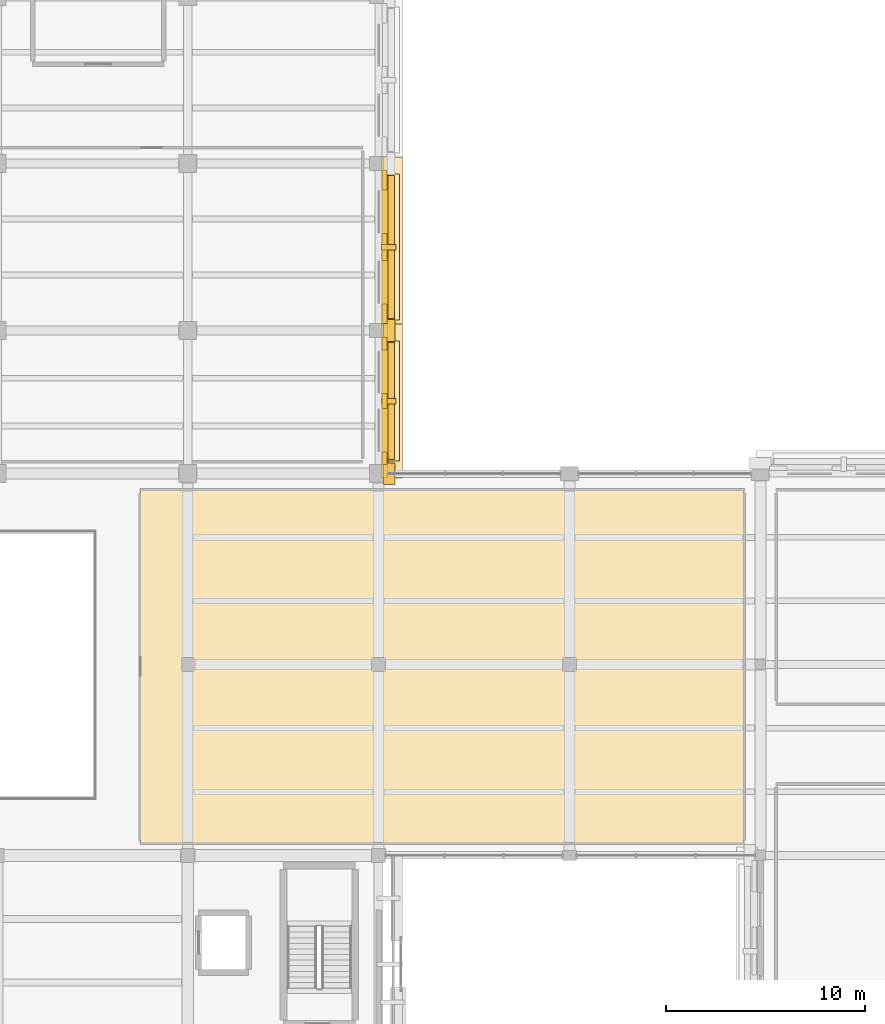
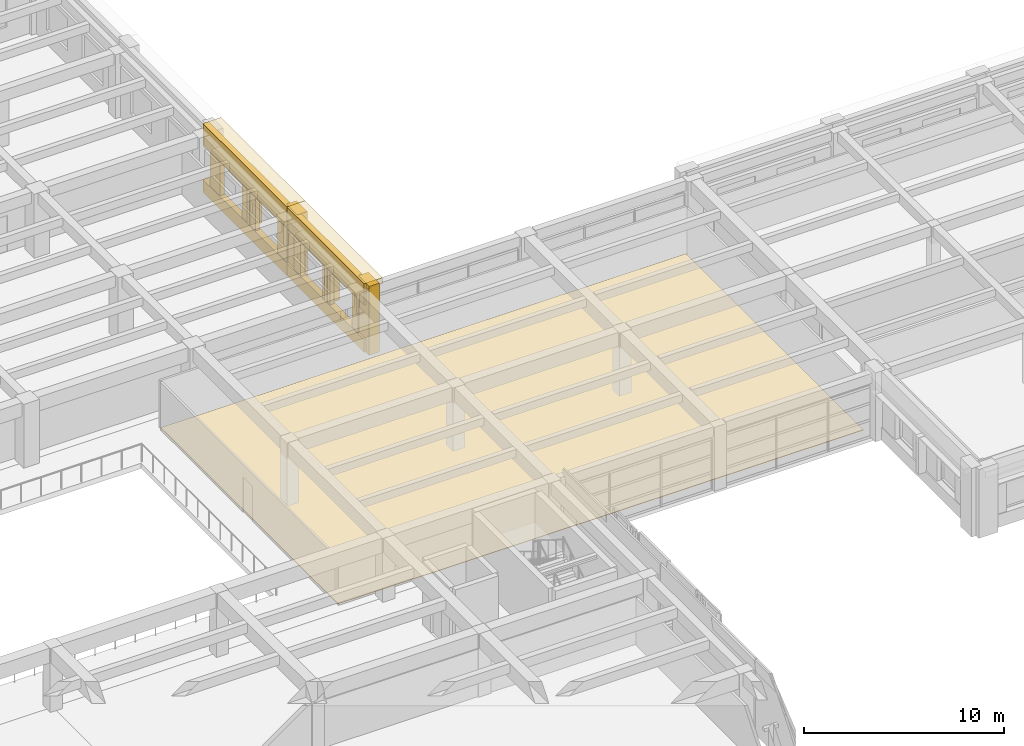
# One storey, part 58 of 62: 19 coverings, 2 shading devices.
"""IFC4 building model written with IfcOpenShell, lengths in metres."""

from ifc_helpers import new_model, si_unit, direction, frame, origin, origin_2d, place, context, subcontext, project, spatial, polyline, rectangle, outline, extrude, material, layer, layer_set, type_object, element, save


model = new_model("IFC4")

# Units and contexts
model_context = context("Model", 3, precision=1e-05, world=origin(), true_north=direction((0.0, 1.0)))
body_context = subcontext(model_context, "Body", "Model", "MODEL_VIEW")
ifc_project = project(units=[si_unit("LENGTHUNIT", "METRE"), si_unit("AREAUNIT", "SQUARE_METRE"), si_unit("VOLUMEUNIT", "CUBIC_METRE"), si_unit("PLANEANGLEUNIT", "RADIAN"), si_unit("MASSUNIT", "GRAM", prefix="KILO")], contexts=[model_context])

# Site, building, storey
site_placement = place(None, origin())
site = spatial("IfcSite", under=ifc_project, at=site_placement, CompositionType="ELEMENT")
building_placement = place(site_placement, origin())
building = spatial("IfcBuilding", under=site, at=building_placement, Name="Bempovik Park Faculty of Sciences", CompositionType="ELEMENT")
storey_placement = place(building_placement, frame((0.0, 0.0, 9.89990234375)))
storey = spatial("IfcBuildingStorey", under=building, at=storey_placement, Name="L02", CompositionType="ELEMENT", Elevation=9.89990234375)

# Coverings
ifc_material_1 = material(Name="Precast concrete C40/50", Category="concrete")
ifc_layer_1 = layer(ifc_material_1, 0.179931640625)
ifc_layer_set_1 = layer_set([ifc_layer_1], Name="Precast concrete C40/50")
covering_type_1 = type_object("IfcCoveringType", Name="CL-02 Classical Cornice Band 180mm", PredefinedType="CLADDING", material=ifc_layer_set_1)
covering_1_placement = place(storey_placement, frame((118.264892578125, 90.64990234375, 3.83984375), z_axis=(0.0, 0.0, 1.0), x_axis=(1.0, 0.0, 0.0)))
element("IfcCovering", 1, at=covering_1_placement, inside=storey, type_object=covering_type_1, Name="L02 Classical Projecting Dentil Cornice EW-L02-7668", PredefinedType="CLADDING", context=body_context, shape_type="SweptSolid", body=[
    extrude(rectangle(XDim=1.050048828125, YDim=7.74609375, at=origin_2d()), origin(), (0.0, 0.0, 1.0), 0.360107421875),
])
covering_2_placement = place(storey_placement, frame((118.199951171875, 90.64990234375, 2.91015625), z_axis=(0.0, 0.0, 1.0), x_axis=(1.0, 0.0, 0.0)))
element("IfcCovering", 2, at=covering_2_placement, inside=storey, type_object=covering_type_1, Name="L02 Classical Stone Solar Window Hood EW-L02-7668", PredefinedType="CLADDING", context=body_context, shape_type="SweptSolid", body=[
    extrude(rectangle(XDim=0.919921875, YDim=6.0458984375, at=origin_2d()), origin(), (0.0, 0.0, 1.0), 0.219970703125),
])
covering_3_placement = place(storey_placement, frame((118.264892578125, 98.39990234375, 3.83984375), z_axis=(0.0, 0.0, 1.0), x_axis=(1.0, 0.0, 0.0)))
element("IfcCovering", 3, at=covering_3_placement, inside=storey, type_object=covering_type_1, Name="L02 Classical Projecting Dentil Cornice EW-L02-7682", PredefinedType="CLADDING", context=body_context, shape_type="SweptSolid", body=[
    extrude(rectangle(XDim=1.050048828125, YDim=9.0458984375, at=origin_2d()), origin(), (0.0, 0.0, 1.0), 0.360107421875),
])
covering_4_placement = place(storey_placement, frame((118.199951171875, 98.39990234375, 2.91015625), z_axis=(0.0, 0.0, 1.0), x_axis=(1.0, 0.0, 0.0)))
element("IfcCovering", 4, at=covering_4_placement, inside=storey, type_object=covering_type_1, Name="L02 Classical Stone Solar Window Hood EW-L02-7682", PredefinedType="CLADDING", context=body_context, shape_type="SweptSolid", body=[
    extrude(rectangle(XDim=0.919921875, YDim=7.345947265625, at=origin_2d()), origin(), (0.0, 0.0, 1.0), 0.219970703125),
])
ifc_material_2 = material(Name="White reconstituted limestone precast C40/50", Category="masonry")
ifc_layer_2 = layer(ifc_material_2, 0.239990234375)
ifc_layer_set_2 = layer_set([ifc_layer_2], Name="White reconstituted limestone precast C40/50")
covering_type_2 = type_object("IfcCoveringType", Name="CL-03 Classical Fluted Limestone Pilaster 240mm", PredefinedType="CLADDING", material=ifc_layer_set_2)
covering_5_placement = place(storey_placement, frame((117.909912109375, 90.64990234375, 2.919921875), z_axis=(0.0, 0.0, 1.0), x_axis=(1.0, 0.0, 0.0)))
element("IfcCovering", 5, at=covering_5_placement, inside=storey, type_object=covering_type_2, Name="L02 Classical Limestone Spandrel Entablature EW-L02-7668", PredefinedType="CLADDING", context=body_context, shape_type="SweptSolid", body=[
    extrude(rectangle(XDim=0.340087890625, YDim=7.74609375, at=origin_2d()), origin(), (0.0, 0.0, 1.0), 1.280029296875),
])
covering_6_placement = place(storey_placement, frame((117.909912109375, 90.64990234375, 0.0), z_axis=(0.0, 0.0, 1.0), x_axis=(1.0, 0.0, 0.0)))
element("IfcCovering", 6, at=covering_6_placement, inside=storey, type_object=covering_type_2, Name="L02 Classical Limestone Sill Dado EW-L02-7668", PredefinedType="CLADDING", context=body_context, shape_type="SweptSolid", body=[
    extrude(rectangle(XDim=0.340087890625, YDim=7.74609375, at=origin_2d()), origin(), (0.0, 0.0, 1.0), 0.780029296875),
])
for number, where, z_axis, x_axis, name in (
    (7, (118.1298828125, 87.0, 0.0), (0.0, 0.0, 1.0), (1.0, 0.0, 0.0), "L02 Classical Fluted Stone Pilaster PIL-BA-L02-1181-870"),
    (8, (118.1298828125, 94.199951171875, 0.0), (0.0, 0.0, 1.0), (1.0, 0.0, 0.0), "L02 Classical Fluted Stone Pilaster PIL-BA-L02-1181-942"),
):
    element("IfcCovering", number, at=place(storey_placement, frame(where, z_axis=z_axis, x_axis=x_axis)), inside=storey, type_object=covering_type_2, Name=name, PredefinedType="CLADDING", context=body_context, shape_type="SweptSolid", body=[
        extrude(rectangle(XDim=0.580078125, YDim=1.10009765625, at=origin_2d()), origin(), (0.0, 0.0, 1.0), 4.199951171875),
    ])
covering_7_placement = place(storey_placement, frame((117.89990234375, 87.7705078125, 0.0), z_axis=(0.0, 0.0, 1.0), x_axis=(1.0, 0.0, 0.0)))
element("IfcCovering", 9, at=covering_7_placement, inside=storey, type_object=covering_type_2, Name="L02 White Limestone Wall Cheek EW-L02-7668-0", PredefinedType="CLADDING", context=body_context, shape_type="SweptSolid", body=[
    extrude(rectangle(XDim=0.239990234375, YDim=0.636962890625, at=origin_2d()), origin(), (0.0, 0.0, 1.0), 3.080078125),
])
covering_8_placement = place(storey_placement, frame((117.89990234375, 90.64990234375, 0.0), z_axis=(0.0, 0.0, 1.0), x_axis=(1.0, 0.0, 0.0)))
element("IfcCovering", 10, at=covering_8_placement, inside=storey, type_object=covering_type_2, Name="L02 White Limestone Wall Cheek EW-L02-7668-2", PredefinedType="CLADDING", context=body_context, shape_type="SweptSolid", body=[
    extrude(rectangle(XDim=0.239990234375, YDim=0.76220703125, at=origin_2d()), origin(), (0.0, 0.0, 1.0), 3.080078125),
])
covering_9_placement = place(storey_placement, frame((117.89990234375, 93.529541015625, 0.0), z_axis=(0.0, 0.0, 1.0), x_axis=(1.0, 0.0, 0.0)))
element("IfcCovering", 11, at=covering_9_placement, inside=storey, type_object=covering_type_2, Name="L02 White Limestone Wall Cheek EW-L02-7668-4", PredefinedType="CLADDING", context=body_context, shape_type="SweptSolid", body=[
    extrude(rectangle(XDim=0.239990234375, YDim=0.636962890625, at=origin_2d()), origin(), (0.0, 0.0, 1.0), 3.080078125),
])
covering_10_placement = place(storey_placement, frame((118.110107421875, 90.64990234375, 0.7001953125), z_axis=(0.0, 0.0, 1.0), x_axis=(1.0, 0.0, 0.0)))
element("IfcCovering", 12, at=covering_10_placement, inside=storey, type_object=covering_type_2, Name="L02 Classical Vertical Stone Shading Fin EW-L02-7668", PredefinedType="CLADDING", context=body_context, shape_type="SweptSolid", body=[
    extrude(rectangle(XDim=0.719970703125, YDim=0.280029296875, at=origin_2d()), origin(), (0.0, 0.0, 1.0), 2.25),
])
covering_11_placement = place(storey_placement, frame((117.909912109375, 98.39990234375, 2.919921875), z_axis=(0.0, 0.0, 1.0), x_axis=(1.0, 0.0, 0.0)))
element("IfcCovering", 13, at=covering_11_placement, inside=storey, type_object=covering_type_2, Name="L02 Classical Limestone Spandrel Entablature EW-L02-7682", PredefinedType="CLADDING", context=body_context, shape_type="SweptSolid", body=[
    extrude(rectangle(XDim=0.340087890625, YDim=9.0458984375, at=origin_2d()), origin(), (0.0, 0.0, 1.0), 1.280029296875),
])
covering_12_placement = place(storey_placement, frame((117.909912109375, 98.39990234375, 0.0), z_axis=(0.0, 0.0, 1.0), x_axis=(1.0, 0.0, 0.0)))
element("IfcCovering", 14, at=covering_12_placement, inside=storey, type_object=covering_type_2, Name="L02 Classical Limestone Sill Dado EW-L02-7682", PredefinedType="CLADDING", context=body_context, shape_type="SweptSolid", body=[
    extrude(rectangle(XDim=0.340087890625, YDim=9.0458984375, at=origin_2d()), origin(), (0.0, 0.0, 1.0), 0.780029296875),
])
covering_13_placement = place(storey_placement, frame((117.89990234375, 95.0458984375, 0.0), z_axis=(0.0, 0.0, 1.0), x_axis=(1.0, 0.0, 0.0)))
element("IfcCovering", 15, at=covering_13_placement, inside=storey, type_object=covering_type_2, Name="L02 White Limestone Wall Cheek EW-L02-7682-0", PredefinedType="CLADDING", context=body_context, shape_type="SweptSolid", body=[
    extrude(rectangle(XDim=0.239990234375, YDim=0.98779296875, at=origin_2d()), origin(), (0.0, 0.0, 1.0), 3.080078125),
])
covering_14_placement = place(storey_placement, frame((117.89990234375, 98.39990234375, 0.0), z_axis=(0.0, 0.0, 1.0), x_axis=(1.0, 0.0, 0.0)))
element("IfcCovering", 16, at=covering_14_placement, inside=storey, type_object=covering_type_2, Name="L02 White Limestone Wall Cheek EW-L02-7682-2", PredefinedType="CLADDING", context=body_context, shape_type="SweptSolid", body=[
    extrude(rectangle(XDim=0.239990234375, YDim=1.360107421875, at=origin_2d()), origin(), (0.0, 0.0, 1.0), 3.080078125),
])
covering_15_placement = place(storey_placement, frame((117.89990234375, 101.754150390625, 0.0), z_axis=(0.0, 0.0, 1.0), x_axis=(1.0, 0.0, 0.0)))
element("IfcCovering", 17, at=covering_15_placement, inside=storey, type_object=covering_type_2, Name="L02 White Limestone Wall Cheek EW-L02-7682-4", PredefinedType="CLADDING", context=body_context, shape_type="SweptSolid", body=[
    extrude(rectangle(XDim=0.239990234375, YDim=0.98779296875, at=origin_2d()), origin(), (0.0, 0.0, 1.0), 3.080078125),
])
covering_16_placement = place(storey_placement, frame((118.110107421875, 98.39990234375, 0.7001953125), z_axis=(0.0, 0.0, 1.0), x_axis=(1.0, 0.0, 0.0)))
element("IfcCovering", 18, at=covering_16_placement, inside=storey, type_object=covering_type_2, Name="L02 Classical Vertical Stone Shading Fin EW-L02-7682", PredefinedType="CLADDING", context=body_context, shape_type="SweptSolid", body=[
    extrude(rectangle(XDim=0.719970703125, YDim=0.280029296875, at=origin_2d()), origin(), (0.0, 0.0, 1.0), 2.25),
])
ifc_material_3 = material(Name="Polished mineral terrazzo flooring")
ifc_layer_3 = layer(ifc_material_3, 0.030029296875)
ifc_layer_set_3 = layer_set([ifc_layer_3], Name="Polished mineral terrazzo flooring")
covering_type_3 = type_object("IfcCoveringType", Name="FL-01 Terrazzo Flooring 30mm", PredefinedType="FLOORING", material=ifc_layer_set_3)
covering_17_placement = place(storey_placement, origin())
element("IfcCovering", 19, at=covering_17_placement, inside=storey, type_object=covering_type_3, Name="L02 Atrium East Academic Staff Offices Terrazzo Flooring", PredefinedType="FLOORING", context=body_context, shape_type="SweptSolid", body=[
    extrude(outline(polyline([(105.6298828125, 68.429931640625), (135.969970703125, 68.429931640625), (135.969970703125, 86.169921875), (105.6298828125, 86.169921875), (105.6298828125, 68.429931640625)])), origin(), (0.0, 0.0, 1.0), 0.030029296875),
])

# Shading devices
ifc_material_4 = material(Name="Anodised architectural bronze")
ifc_layer_4 = layer(ifc_material_4, 0.06005859375)
ifc_layer_set_4 = layer_set([ifc_layer_4], Name="Anodised architectural bronze")
shading_device_type = type_object("IfcShadingDeviceType", Name="SH-01 Bronze Brise-Soleil Fin", PredefinedType="USERDEFINED", material=ifc_layer_set_4)
shading_device_1_placement = place(storey_placement, frame((118.080078125, 90.64990234375, 2.85009765625), z_axis=(0.0, 0.0, 1.0), x_axis=(1.0, 0.0, 0.0)))
element("IfcShadingDevice", 20, at=shading_device_1_placement, inside=storey, type_object=shading_device_type, Name="L02 Equatorial Bronze Brise-Soleil EW-L02-7668", ObjectType="BRISE SOLEIL", PredefinedType="USERDEFINED", context=body_context, shape_type="SweptSolid", body=[
    extrude(rectangle(XDim=0.64990234375, YDim=5.89599609375, at=origin_2d()), origin(), (0.0, 0.0, 1.0), 0.06005859375),
])
shading_device_2_placement = place(storey_placement, frame((118.080078125, 98.39990234375, 2.85009765625), z_axis=(0.0, 0.0, 1.0), x_axis=(1.0, 0.0, 0.0)))
element("IfcShadingDevice", 21, at=shading_device_2_placement, inside=storey, type_object=shading_device_type, Name="L02 Equatorial Bronze Brise-Soleil EW-L02-7682", ObjectType="BRISE SOLEIL", PredefinedType="USERDEFINED", context=body_context, shape_type="SweptSolid", body=[
    extrude(rectangle(XDim=0.64990234375, YDim=7.196044921875, at=origin_2d()), origin(), (0.0, 0.0, 1.0), 0.06005859375),
])

save(model, "model.ifc")
